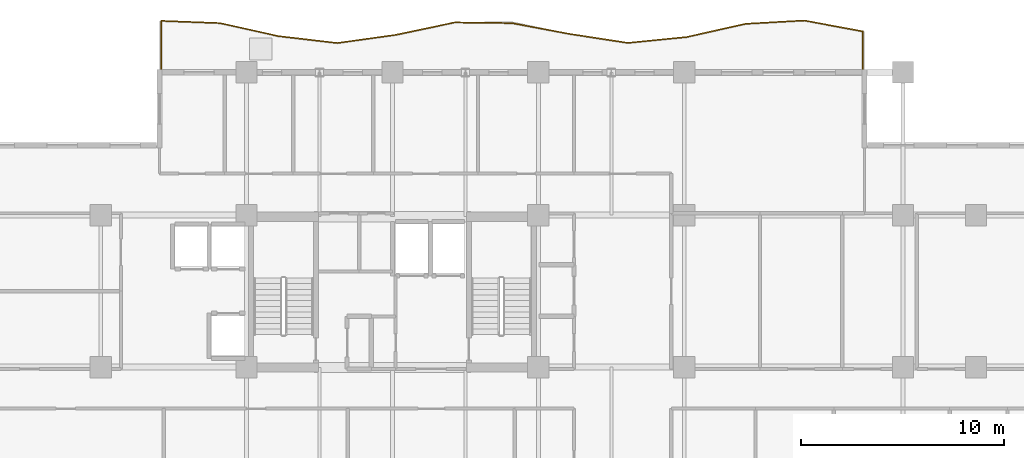
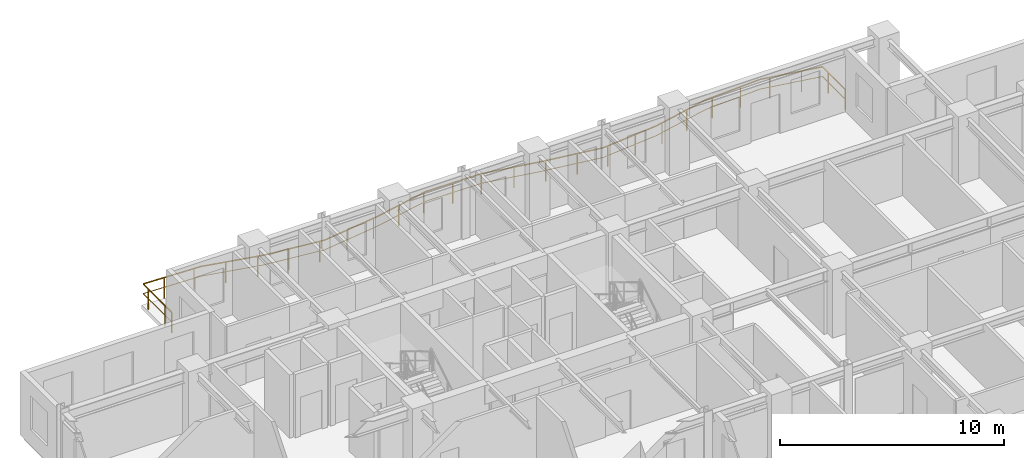
# One storey, part 13 of 13: 1 railing.
"""IFC4 building model written with IfcOpenShell, lengths in metres."""

from ifc_helpers import new_model, si_unit, direction, frame, origin, origin_2d, place, context, subcontext, project, spatial, rectangle, extrude, material, type_object, element, save


model = new_model("IFC4")

# Units and contexts
model_context = context("Model", 3, precision=1e-05, world=origin(), true_north=direction((0.0, 1.0)))
body_context = subcontext(model_context, "Body", "Model", "MODEL_VIEW")
ifc_project = project(units=[si_unit("LENGTHUNIT", "METRE"), si_unit("AREAUNIT", "SQUARE_METRE"), si_unit("VOLUMEUNIT", "CUBIC_METRE"), si_unit("PLANEANGLEUNIT", "RADIAN"), si_unit("MASSUNIT", "GRAM", prefix="KILO")], contexts=[model_context])

# Site, building, storey
site_placement = place(None, origin())
site = spatial("IfcSite", under=ifc_project, at=site_placement, CompositionType="ELEMENT")
building_placement = place(site_placement, origin())
building = spatial("IfcBuilding", under=site, at=building_placement, Name="Kaliganga Portal Commons", CompositionType="ELEMENT")
storey_placement = place(building_placement, frame((0.0, 0.0, 173.5)))
storey = spatial("IfcBuildingStorey", under=building, at=storey_placement, Name="L44", CompositionType="ELEMENT", Elevation=173.5)

# Railing
ifc_material = material(Name="Laminated Safety Glass and Stainless Steel 316", Category="steel")
railing_type = type_object("IfcRailingType", Name="RLG-BAL-1150", PredefinedType="BALUSTRADE", material=ifc_material)
railing_placement = place(storey_placement, frame((44.8203125, 43.208251953125, 0.0)))
element("IfcRailing", 1, at=railing_placement, inside=storey, type_object=railing_type, Name="Balcony Guardrail L44 balc_north", PredefinedType="BALUSTRADE", context=body_context, shape_type="SweptSolid", body=[
    extrude(rectangle(XDim=0.048095703125, YDim=0.048095703125, at=origin_2d()), frame((0.0, 0.0, 1.1259765625), z_axis=(-0.000121329773, 0.99999999264, 0.0), x_axis=(-0.99999999264, -0.000121329773, 0.0)), (0.0, 0.0, 1.0), 2.01220703125),
    extrude(rectangle(XDim=0.028076171875, YDim=0.028076171875, at=origin_2d()), frame((0.0, 0.0, 0.597900390625), z_axis=(-0.000121329773, 0.99999999264, 0.0), x_axis=(-0.99999999264, -0.000121329773, 0.0)), (0.0, 0.0, 1.0), 2.01220703125),
    extrude(rectangle(XDim=0.048095703125, YDim=0.048095703125, at=origin_2d()), frame((-0.000244140625, 2.01220703125, 1.1259765625), z_axis=(-0.983157729615, 0.182759072823, 0.0), x_axis=(-0.182759072823, -0.983157729615, 0.0)), (0.0, 0.0, 1.0), 2.949462890625),
    extrude(rectangle(XDim=0.028076171875, YDim=0.028076171875, at=origin_2d()), frame((-0.000244140625, 2.01220703125, 0.597900390625), z_axis=(-0.983157729615, 0.182759072823, 0.0), x_axis=(-0.182759072823, -0.983157729615, 0.0)), (0.0, 0.0, 1.0), 2.949462890625),
    extrude(rectangle(XDim=0.048095703125, YDim=0.048095703125, at=origin_2d()), frame((-2.900146484375, 2.55126953125, 1.1259765625), z_axis=(-0.998403724178, -0.056480116394, 0.0), x_axis=(0.056480116394, -0.998403724178, 0.0)), (0.0, 0.0, 1.0), 2.90478515625),
    extrude(rectangle(XDim=0.028076171875, YDim=0.028076171875, at=origin_2d()), frame((-2.900146484375, 2.55126953125, 0.597900390625), z_axis=(-0.998403724178, -0.056480116394, 0.0), x_axis=(0.056480116394, -0.998403724178, 0.0)), (0.0, 0.0, 1.0), 2.90478515625),
    extrude(rectangle(XDim=0.048095703125, YDim=0.048095703125, at=origin_2d()), frame((-5.80029296875, 2.38720703125, 1.1259765625), z_axis=(-0.975637013944, -0.219391013996, 0.0), x_axis=(0.219391013996, -0.975637013944, 0.0)), (0.0, 0.0, 1.0), 2.972412109375),
    extrude(rectangle(XDim=0.028076171875, YDim=0.028076171875, at=origin_2d()), frame((-5.80029296875, 2.38720703125, 0.597900390625), z_axis=(-0.975637013944, -0.219391013996, 0.0), x_axis=(0.219391013996, -0.975637013944, 0.0)), (0.0, 0.0, 1.0), 2.972412109375),
    extrude(rectangle(XDim=0.048095703125, YDim=0.048095703125, at=origin_2d()), frame((-8.7001953125, 1.735107421875, 1.1259765625), z_axis=(-0.995060387415, -0.099271473235, 0.0), x_axis=(0.099271473235, -0.995060387415, 0.0)), (0.0, 0.0, 1.0), 2.914306640625),
    extrude(rectangle(XDim=0.028076171875, YDim=0.028076171875, at=origin_2d()), frame((-8.7001953125, 1.735107421875, 0.597900390625), z_axis=(-0.995060387415, -0.099271473235, 0.0), x_axis=(0.099271473235, -0.995060387415, 0.0)), (0.0, 0.0, 1.0), 2.914306640625),
    extrude(rectangle(XDim=0.048095703125, YDim=0.048095703125, at=origin_2d()), frame((-11.60009765625, 1.44580078125, 1.1259765625), z_axis=(-0.988453321945, 0.1515256755, 0.0), x_axis=(-0.1515256755, -0.988453321945, 0.0)), (0.0, 0.0, 1.0), 2.93408203125),
    extrude(rectangle(XDim=0.028076171875, YDim=0.028076171875, at=origin_2d()), frame((-11.60009765625, 1.44580078125, 0.597900390625), z_axis=(-0.988453321945, 0.1515256755, 0.0), x_axis=(-0.1515256755, -0.988453321945, 0.0)), (0.0, 0.0, 1.0), 2.93408203125),
    extrude(rectangle(XDim=0.048095703125, YDim=0.048095703125, at=origin_2d()), frame((-14.500244140625, 1.890380859375, 1.1259765625), z_axis=(-0.982714840697, 0.185125746113, 0.0), x_axis=(-0.185125746113, -0.982714840697, 0.0)), (0.0, 0.0, 1.0), 2.86962890625),
    extrude(rectangle(XDim=0.028076171875, YDim=0.028076171875, at=origin_2d()), frame((-14.500244140625, 1.890380859375, 0.597900390625), z_axis=(-0.982714840697, 0.185125746113, 0.0), x_axis=(-0.185125746113, -0.982714840697, 0.0)), (0.0, 0.0, 1.0), 2.86962890625),
    extrude(rectangle(XDim=0.048095703125, YDim=0.048095703125, at=origin_2d()), frame((-17.3203125, 2.421630859375, 1.1259765625), z_axis=(-0.999925609198, 0.012197379609, 0.0), x_axis=(-0.012197379609, -0.999925609198, 0.0)), (0.0, 0.0, 1.0), 2.822265625),
    extrude(rectangle(XDim=0.028076171875, YDim=0.028076171875, at=origin_2d()), frame((-17.3203125, 2.421630859375, 0.597900390625), z_axis=(-0.999925609198, 0.012197379609, 0.0), x_axis=(-0.012197379609, -0.999925609198, 0.0)), (0.0, 0.0, 1.0), 2.822265625),
    extrude(rectangle(XDim=0.048095703125, YDim=0.048095703125, at=origin_2d()), frame((-20.142333984375, 2.4560546875, 1.1259765625), z_axis=(-0.978515660112, -0.206172507661, 0.0), x_axis=(0.206172507661, -0.978515660112, 0.0)), (0.0, 0.0, 1.0), 2.961669921875),
    extrude(rectangle(XDim=0.028076171875, YDim=0.028076171875, at=origin_2d()), frame((-20.142333984375, 2.4560546875, 0.597900390625), z_axis=(-0.978515660112, -0.206172507661, 0.0), x_axis=(0.206172507661, -0.978515660112, 0.0)), (0.0, 0.0, 1.0), 2.961669921875),
    extrude(rectangle(XDim=0.048095703125, YDim=0.048095703125, at=origin_2d()), frame((-23.040283203125, 1.845458984375, 1.1259765625), z_axis=(-0.990330983338, -0.138724703786, 0.0), x_axis=(0.138724703786, -0.990330983338, 0.0)), (0.0, 0.0, 1.0), 2.928466796875),
    extrude(rectangle(XDim=0.028076171875, YDim=0.028076171875, at=origin_2d()), frame((-23.040283203125, 1.845458984375, 0.597900390625), z_axis=(-0.990330983338, -0.138724703786, 0.0), x_axis=(0.138724703786, -0.990330983338, 0.0)), (0.0, 0.0, 1.0), 2.928466796875),
    extrude(rectangle(XDim=0.048095703125, YDim=0.048095703125, at=origin_2d()), frame((-25.9404296875, 1.439208984375, 1.1259765625), z_axis=(-0.993241626845, 0.116064941746, 0.0), x_axis=(-0.116064941746, -0.993241626845, 0.0)), (0.0, 0.0, 1.0), 2.919677734375),
    extrude(rectangle(XDim=0.028076171875, YDim=0.028076171875, at=origin_2d()), frame((-25.9404296875, 1.439208984375, 0.597900390625), z_axis=(-0.993241626845, 0.116064941746, 0.0), x_axis=(-0.116064941746, -0.993241626845, 0.0)), (0.0, 0.0, 1.0), 2.919677734375),
    extrude(rectangle(XDim=0.048095703125, YDim=0.048095703125, at=origin_2d()), frame((-28.84033203125, 1.778076171875, 1.1259765625), z_axis=(-0.97614837442, 0.217104470513, 0.0), x_axis=(-0.217104470513, -0.97614837442, 0.0)), (0.0, 0.0, 1.0), 2.970947265625),
    extrude(rectangle(XDim=0.028076171875, YDim=0.028076171875, at=origin_2d()), frame((-28.84033203125, 1.778076171875, 0.597900390625), z_axis=(-0.97614837442, 0.217104470513, 0.0), x_axis=(-0.217104470513, -0.97614837442, 0.0)), (0.0, 0.0, 1.0), 2.970947265625),
    extrude(rectangle(XDim=0.048095703125, YDim=0.048095703125, at=origin_2d()), frame((-31.740478515625, 2.423095703125, 1.1259765625), z_axis=(-0.999279942508, 0.037942014992, 0.0), x_axis=(-0.037942014992, -0.999279942508, 0.0)), (0.0, 0.0, 1.0), 2.902099609375),
    extrude(rectangle(XDim=0.028076171875, YDim=0.028076171875, at=origin_2d()), frame((-31.740478515625, 2.423095703125, 0.597900390625), z_axis=(-0.999279942508, 0.037942014992, 0.0), x_axis=(-0.037942014992, -0.999279942508, 0.0)), (0.0, 0.0, 1.0), 2.902099609375),
    extrude(rectangle(XDim=0.048095703125, YDim=0.048095703125, at=origin_2d()), frame((-34.640380859375, 2.533203125, 1.1259765625), z_axis=(-9.6376252e-05, -0.999999995356, 0.0), x_axis=(0.999999995356, -9.6376252e-05, 0.0)), (0.0, 0.0, 1.0), 2.533203125),
    extrude(rectangle(XDim=0.028076171875, YDim=0.028076171875, at=origin_2d()), frame((-34.640380859375, 2.533203125, 0.597900390625), z_axis=(-9.6376252e-05, -0.999999995356, 0.0), x_axis=(0.999999995356, -9.6376252e-05, 0.0)), (0.0, 0.0, 1.0), 2.533203125),
    extrude(rectangle(XDim=0.0419921875, YDim=0.0419921875, at=origin_2d()), origin(), (0.0, 0.0, 1.0), 1.101806640625),
    extrude(rectangle(XDim=0.0419921875, YDim=0.0419921875, at=origin_2d()), frame((-0.000244140625, 1.5, 0.0)), (0.0, 0.0, 1.0), 1.101806640625),
    extrude(rectangle(XDim=0.0419921875, YDim=0.0419921875, at=origin_2d()), frame((-0.971435546875, 2.192626953125, 0.0)), (0.0, 0.0, 1.0), 1.101806640625),
    extrude(rectangle(XDim=0.0419921875, YDim=0.0419921875, at=origin_2d()), frame((-2.446044921875, 2.466796875, 0.0)), (0.0, 0.0, 1.0), 1.101806640625),
    extrude(rectangle(XDim=0.0419921875, YDim=0.0419921875, at=origin_2d()), frame((-3.936767578125, 2.49267578125, 0.0)), (0.0, 0.0, 1.0), 1.101806640625),
    extrude(rectangle(XDim=0.0419921875, YDim=0.0419921875, at=origin_2d()), frame((-5.434326171875, 2.407958984375, 0.0)), (0.0, 0.0, 1.0), 1.101806640625),
    extrude(rectangle(XDim=0.0419921875, YDim=0.0419921875, at=origin_2d()), frame((-6.906005859375, 2.138427734375, 0.0)), (0.0, 0.0, 1.0), 1.101806640625),
    extrude(rectangle(XDim=0.0419921875, YDim=0.0419921875, at=origin_2d()), frame((-8.36962890625, 1.8095703125, 0.0)), (0.0, 0.0, 1.0), 1.101806640625),
    extrude(rectangle(XDim=0.0419921875, YDim=0.0419921875, at=origin_2d()), frame((-9.85546875, 1.619873046875, 0.0)), (0.0, 0.0, 1.0), 1.101806640625),
    extrude(rectangle(XDim=0.0419921875, YDim=0.0419921875, at=origin_2d()), frame((-11.34814453125, 1.470947265625, 0.0)), (0.0, 0.0, 1.0), 1.101806640625),
    extrude(rectangle(XDim=0.0419921875, YDim=0.0419921875, at=origin_2d()), frame((-12.83251953125, 1.634765625, 0.0)), (0.0, 0.0, 1.0), 1.101806640625),
    extrude(rectangle(XDim=0.0419921875, YDim=0.0419921875, at=origin_2d()), frame((-14.315185546875, 1.862060546875, 0.0)), (0.0, 0.0, 1.0), 1.101806640625),
    extrude(rectangle(XDim=0.0419921875, YDim=0.0419921875, at=origin_2d()), frame((-15.790283203125, 2.13330078125, 0.0)), (0.0, 0.0, 1.0), 1.101806640625),
    extrude(rectangle(XDim=0.0419921875, YDim=0.0419921875, at=origin_2d()), frame((-17.3203125, 2.421630859375, 0.0)), (0.0, 0.0, 1.0), 1.101806640625),
    extrude(rectangle(XDim=0.0419921875, YDim=0.0419921875, at=origin_2d()), frame((-18.763427734375, 2.439208984375, 0.0)), (0.0, 0.0, 1.0), 1.101806640625),
    extrude(rectangle(XDim=0.0419921875, YDim=0.0419921875, at=origin_2d()), frame((-20.2607421875, 2.43115234375, 0.0)), (0.0, 0.0, 1.0), 1.101806640625),
    extrude(rectangle(XDim=0.0419921875, YDim=0.0419921875, at=origin_2d()), frame((-21.728515625, 2.121826171875, 0.0)), (0.0, 0.0, 1.0), 1.101806640625),
    extrude(rectangle(XDim=0.0419921875, YDim=0.0419921875, at=origin_2d()), frame((-23.197998046875, 1.8232421875, 0.0)), (0.0, 0.0, 1.0), 1.101806640625),
    extrude(rectangle(XDim=0.0419921875, YDim=0.0419921875, at=origin_2d()), frame((-24.68359375, 1.615234375, 0.0)), (0.0, 0.0, 1.0), 1.101806640625),
    extrude(rectangle(XDim=0.0419921875, YDim=0.0419921875, at=origin_2d()), frame((-26.169677734375, 1.466064453125, 0.0)), (0.0, 0.0, 1.0), 1.101806640625),
    extrude(rectangle(XDim=0.0419921875, YDim=0.0419921875, at=origin_2d()), frame((-27.65966796875, 1.64013671875, 0.0)), (0.0, 0.0, 1.0), 1.101806640625),
    extrude(rectangle(XDim=0.0419921875, YDim=0.0419921875, at=origin_2d()), frame((-29.14404296875, 1.845703125, 0.0)), (0.0, 0.0, 1.0), 1.101806640625),
    extrude(rectangle(XDim=0.0419921875, YDim=0.0419921875, at=origin_2d()), frame((-30.6083984375, 2.17138671875, 0.0)), (0.0, 0.0, 1.0), 1.101806640625),
    extrude(rectangle(XDim=0.0419921875, YDim=0.0419921875, at=origin_2d()), frame((-32.080322265625, 2.43603515625, 0.0)), (0.0, 0.0, 1.0), 1.101806640625),
    extrude(rectangle(XDim=0.0419921875, YDim=0.0419921875, at=origin_2d()), frame((-33.579345703125, 2.492919921875, 0.0)), (0.0, 0.0, 1.0), 1.101806640625),
    extrude(rectangle(XDim=0.0419921875, YDim=0.0419921875, at=origin_2d()), frame((-34.640380859375, 2.094970703125, 0.0)), (0.0, 0.0, 1.0), 1.101806640625),
    extrude(rectangle(XDim=0.0419921875, YDim=0.0419921875, at=origin_2d()), frame((-34.640625, 0.594970703125, 0.0)), (0.0, 0.0, 1.0), 1.101806640625),
    extrude(rectangle(XDim=0.0419921875, YDim=0.0419921875, at=origin_2d()), frame((-34.640625, 0.0, 0.0)), (0.0, 0.0, 1.0), 1.101806640625),
])

save(model, "model.ifc")
